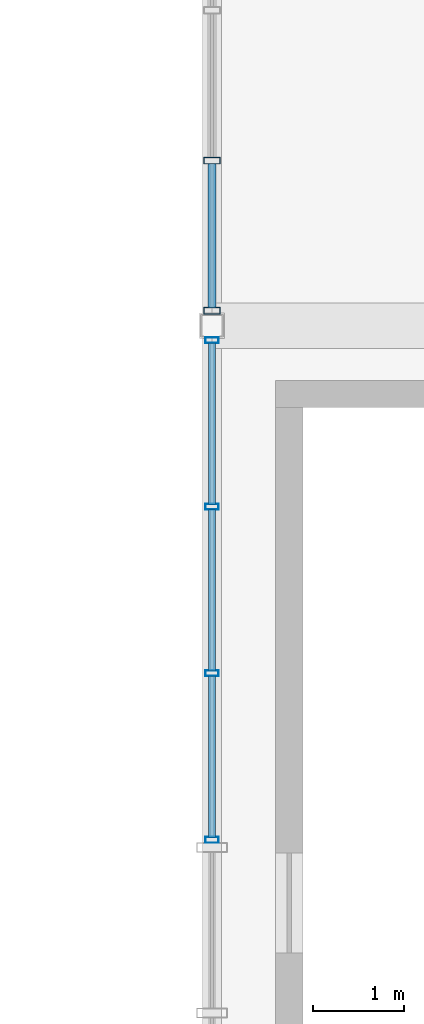
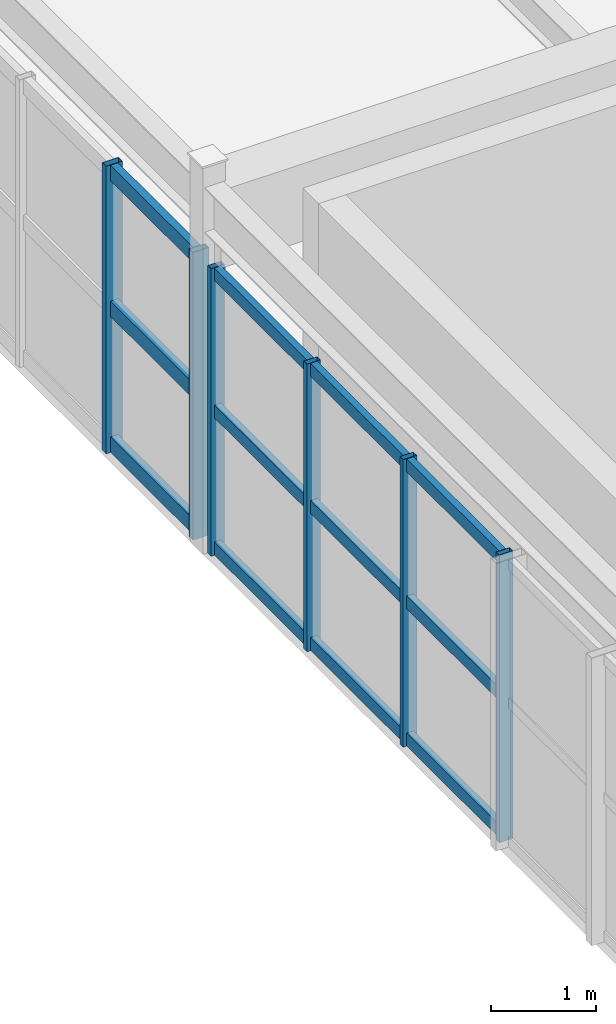
# One storey, part 27 of 80: 18 members, 2 elements without a shape of their own.
"""IFC4 building model written with IfcOpenShell, lengths in metres."""

from ifc_helpers import new_model, si_unit, direction, frame, origin, origin_2d, place, context, subcontext, project, spatial, hollow_rectangle, extrude, material, layer, layer_set, material_profile, profile_set, type_object, element, aggregate, save


model = new_model("IFC4")

# Units and contexts
model_context = context("Model", 3, precision=1e-05, world=origin(), true_north=direction((0.0, 1.0)))
body_context = subcontext(model_context, "Body", "Model", "MODEL_VIEW")
ifc_project = project(units=[si_unit("LENGTHUNIT", "METRE"), si_unit("AREAUNIT", "SQUARE_METRE"), si_unit("VOLUMEUNIT", "CUBIC_METRE"), si_unit("PLANEANGLEUNIT", "RADIAN"), si_unit("MASSUNIT", "GRAM", prefix="KILO"), si_unit("POWERUNIT", "WATT"), si_unit("THERMODYNAMICTEMPERATUREUNIT", "KELVIN")], contexts=[model_context])

# Site, building, storey
site_placement = place(None, origin())
site = spatial("IfcSite", under=ifc_project, at=site_placement, CompositionType="ELEMENT")
building_placement = place(site_placement, origin())
building = spatial("IfcBuilding", under=site, at=building_placement, Name="Kelmbourne Parkland Aquatics Centre", CompositionType="ELEMENT")
storey_placement = place(building_placement, frame((0.0, 0.0, 10.199951171875)))
storey = spatial("IfcBuildingStorey", under=building, at=storey_placement, Name="L02", CompositionType="ELEMENT", Elevation=10.199951171875)

# Curtain wall, members
ifc_material = material(Name="Thermally broken anodised aluminium framing", Category="aluminium")
ifc_layer_1 = layer(ifc_material, 0.179931640625)
ifc_layer_set_1 = layer_set([ifc_layer_1], Name="Thermally broken anodised aluminium framing")
curtain_wall_type_1 = type_object("IfcCurtainWallType", Name="CW-13", PredefinedType="NOTDEFINED", material=ifc_layer_set_1)
curtain_wall_1_placement = place(storey_placement, origin())
curtain_wall_1 = element("IfcCurtainWall", 1, at=curtain_wall_1_placement, inside=storey, type_object=curtain_wall_type_1, Name="Facade curtain wall CW-L02-205", PredefinedType="NOTDEFINED")
ifc_material_profile_1 = material_profile(ifc_material, hollow_rectangle(XDim=0.06494140625, YDim=0.14990234375, WallThickness=0.00390625, at=origin_2d()), Name="CW-M 65x150")
ifc_profile_set_1 = profile_set([ifc_material_profile_1], Name="Thermally broken anodised aluminium framing")
member_type_1 = type_object("IfcMemberType", Name="MB-MUL-1", PredefinedType="MULLION", material=ifc_profile_set_1)
member_1_placement = place(storey_placement, frame((102.0, 40.7451171875, 0.0), z_axis=(0.0, 0.0, 1.0), x_axis=(0.0, 1.0, 0.0)))
member_1 = element("IfcMember", 2, at=member_1_placement, type_object=member_type_1, Name="CW-L02-205 mullion 0", PredefinedType="MULLION", context=body_context, shape_type="SweptSolid", body=[
    extrude(hollow_rectangle(XDim=0.06494140625, YDim=0.14990234375, WallThickness=0.00390625, at=origin_2d()), origin(), (0.0, 0.0, 1.0), 3.344970703125),
])
member_2_placement = place(storey_placement, frame((102.0, 42.576904296875, 0.0), z_axis=(0.0, 0.0, 1.0), x_axis=(0.0, 1.0, 0.0)))
member_2 = element("IfcMember", 3, at=member_2_placement, type_object=member_type_1, Name="CW-L02-205 mullion 1", PredefinedType="MULLION", context=body_context, shape_type="SweptSolid", body=[
    extrude(hollow_rectangle(XDim=0.06494140625, YDim=0.14990234375, WallThickness=0.00390625, at=origin_2d()), origin(), (0.0, 0.0, 1.0), 3.344970703125),
])
member_3_placement = place(storey_placement, frame((102.0, 44.40869140625, 0.0), z_axis=(0.0, 0.0, 1.0), x_axis=(0.0, 1.0, 0.0)))
member_3 = element("IfcMember", 4, at=member_3_placement, type_object=member_type_1, Name="CW-L02-205 mullion 2", PredefinedType="MULLION", context=body_context, shape_type="SweptSolid", body=[
    extrude(hollow_rectangle(XDim=0.06494140625, YDim=0.14990234375, WallThickness=0.00390625, at=origin_2d()), origin(), (0.0, 0.0, 1.0), 3.344970703125),
])
member_4_placement = place(storey_placement, frame((102.0, 46.240478515625, 0.0), z_axis=(0.0, 0.0, 1.0), x_axis=(0.0, 1.0, 0.0)))
member_4 = element("IfcMember", 5, at=member_4_placement, type_object=member_type_1, Name="CW-L02-205 mullion 3", PredefinedType="MULLION", context=body_context, shape_type="SweptSolid", body=[
    extrude(hollow_rectangle(XDim=0.06494140625, YDim=0.14990234375, WallThickness=0.00390625, at=origin_2d()), origin(), (0.0, 0.0, 1.0), 3.344970703125),
])

ifc_layer_2 = layer(ifc_material, 0.179931640625)
ifc_layer_set_2 = layer_set([ifc_layer_2], Name="Thermally broken anodised aluminium framing")
curtain_wall_type_2 = type_object("IfcCurtainWallType", Name="CW-14", PredefinedType="NOTDEFINED", material=ifc_layer_set_2)
curtain_wall_2_placement = place(storey_placement, origin())
curtain_wall_2 = element("IfcCurtainWall", 6, at=curtain_wall_2_placement, inside=storey, type_object=curtain_wall_type_2, Name="Facade curtain wall CW-L02-206", PredefinedType="NOTDEFINED")
ifc_material_profile_2 = material_profile(ifc_material, hollow_rectangle(XDim=0.074951171875, YDim=0.179931640625, WallThickness=0.00439453125, at=origin_2d()), Name="CW-M 75x180")
ifc_profile_set_2 = profile_set([ifc_material_profile_2], Name="Thermally broken anodised aluminium framing")
member_type_2 = type_object("IfcMemberType", Name="MB-MUL-2", PredefinedType="MULLION", material=ifc_profile_set_2)
member_5_placement = place(storey_placement, frame((102.0, 46.564453125, 0.0), z_axis=(0.0, 0.0, 1.0), x_axis=(0.0, 1.0, 0.0)))
member_5 = element("IfcMember", 7, at=member_5_placement, type_object=member_type_2, Name="CW-L02-206 mullion 0", PredefinedType="MULLION", context=body_context, shape_type="SweptSolid", body=[
    extrude(hollow_rectangle(XDim=0.074951171875, YDim=0.179931640625, WallThickness=0.00439453125, at=origin_2d()), origin(), (0.0, 0.0, 1.0), 3.344970703125),
])
member_6_placement = place(storey_placement, frame((102.0, 48.21826171875, 0.0), z_axis=(0.0, 0.0, 1.0), x_axis=(0.0, 1.0, 0.0)))
member_6 = element("IfcMember", 8, at=member_6_placement, type_object=member_type_2, Name="CW-L02-206 mullion 1", PredefinedType="MULLION", context=body_context, shape_type="SweptSolid", body=[
    extrude(hollow_rectangle(XDim=0.074951171875, YDim=0.179931640625, WallThickness=0.00439453125, at=origin_2d()), origin(), (0.0, 0.0, 1.0), 3.344970703125),
])

# Member
ifc_material_profile_3 = material_profile(ifc_material, hollow_rectangle(XDim=0.074951171875, YDim=0.14990234375, WallThickness=0.00390625, at=origin_2d()), Name="CW-T 75x150")
ifc_profile_set_3 = profile_set([ifc_material_profile_3], Name="Thermally broken anodised aluminium framing")
member_type_3 = type_object("IfcMemberType", Name="MB-TRN-2", PredefinedType="USERDEFINED", material=ifc_profile_set_3)
member_7_placement = place(storey_placement, frame((102.0, 40.7734375, 0.078125), z_axis=(0.0, 1.0, 0.0), x_axis=(-1.0, 0.0, 0.0)))
member_7 = element("IfcMember", 9, at=member_7_placement, type_object=member_type_3, Name="CW-L02-205 transom 0-0", ObjectType="TRANSOM", PredefinedType="USERDEFINED", context=body_context, shape_type="SweptSolid", body=[
    extrude(hollow_rectangle(XDim=0.074951171875, YDim=0.14990234375, WallThickness=0.00390625, at=origin_2d()), origin(), (0.0, 0.0, 1.0), 1.77490234375),
])

member_8_placement = place(storey_placement, frame((102.0, 42.605224609375, 0.078125), z_axis=(0.0, 1.0, 0.0), x_axis=(-1.0, 0.0, 0.0)))
member_8 = element("IfcMember", 10, at=member_8_placement, type_object=member_type_3, Name="CW-L02-205 transom 0-1", ObjectType="TRANSOM", PredefinedType="USERDEFINED", context=body_context, shape_type="SweptSolid", body=[
    extrude(hollow_rectangle(XDim=0.074951171875, YDim=0.14990234375, WallThickness=0.00390625, at=origin_2d()), origin(), (0.0, 0.0, 1.0), 1.77490234375),
])

member_9_placement = place(storey_placement, frame((102.0, 44.437255859375, 0.078125), z_axis=(0.0, 1.0, 0.0), x_axis=(-1.0, 0.0, 0.0)))
member_9 = element("IfcMember", 11, at=member_9_placement, type_object=member_type_3, Name="CW-L02-205 transom 0-2", ObjectType="TRANSOM", PredefinedType="USERDEFINED", context=body_context, shape_type="SweptSolid", body=[
    extrude(hollow_rectangle(XDim=0.074951171875, YDim=0.14990234375, WallThickness=0.00390625, at=origin_2d()), origin(), (0.0, 0.0, 1.0), 1.774658203125),
])

member_10_placement = place(storey_placement, frame((102.0, 40.7734375, 1.672607421875), z_axis=(0.0, 1.0, 0.0), x_axis=(-1.0, 0.0, 0.0)))
member_10 = element("IfcMember", 12, at=member_10_placement, type_object=member_type_3, Name="CW-L02-205 transom 1-0", ObjectType="TRANSOM", PredefinedType="USERDEFINED", context=body_context, shape_type="SweptSolid", body=[
    extrude(hollow_rectangle(XDim=0.074951171875, YDim=0.14990234375, WallThickness=0.00390625, at=origin_2d()), origin(), (0.0, 0.0, 1.0), 1.77490234375),
])

member_11_placement = place(storey_placement, frame((102.0, 42.605224609375, 1.672607421875), z_axis=(0.0, 1.0, 0.0), x_axis=(-1.0, 0.0, 0.0)))
member_11 = element("IfcMember", 13, at=member_11_placement, type_object=member_type_3, Name="CW-L02-205 transom 1-1", ObjectType="TRANSOM", PredefinedType="USERDEFINED", context=body_context, shape_type="SweptSolid", body=[
    extrude(hollow_rectangle(XDim=0.074951171875, YDim=0.14990234375, WallThickness=0.00390625, at=origin_2d()), origin(), (0.0, 0.0, 1.0), 1.77490234375),
])

member_12_placement = place(storey_placement, frame((102.0, 44.437255859375, 1.672607421875), z_axis=(0.0, 1.0, 0.0), x_axis=(-1.0, 0.0, 0.0)))
member_12 = element("IfcMember", 14, at=member_12_placement, type_object=member_type_3, Name="CW-L02-205 transom 1-2", ObjectType="TRANSOM", PredefinedType="USERDEFINED", context=body_context, shape_type="SweptSolid", body=[
    extrude(hollow_rectangle(XDim=0.074951171875, YDim=0.14990234375, WallThickness=0.00390625, at=origin_2d()), origin(), (0.0, 0.0, 1.0), 1.774658203125),
])

member_13_placement = place(storey_placement, frame((102.0, 40.7734375, 3.26708984375), z_axis=(0.0, 1.0, 0.0), x_axis=(-1.0, 0.0, 0.0)))
member_13 = element("IfcMember", 15, at=member_13_placement, type_object=member_type_3, Name="CW-L02-205 transom 2-0", ObjectType="TRANSOM", PredefinedType="USERDEFINED", context=body_context, shape_type="SweptSolid", body=[
    extrude(hollow_rectangle(XDim=0.074951171875, YDim=0.14990234375, WallThickness=0.00390625, at=origin_2d()), origin(), (0.0, 0.0, 1.0), 1.77490234375),
])

member_14_placement = place(storey_placement, frame((102.0, 42.605224609375, 3.26708984375), z_axis=(0.0, 1.0, 0.0), x_axis=(-1.0, 0.0, 0.0)))
member_14 = element("IfcMember", 16, at=member_14_placement, type_object=member_type_3, Name="CW-L02-205 transom 2-1", ObjectType="TRANSOM", PredefinedType="USERDEFINED", context=body_context, shape_type="SweptSolid", body=[
    extrude(hollow_rectangle(XDim=0.074951171875, YDim=0.14990234375, WallThickness=0.00390625, at=origin_2d()), origin(), (0.0, 0.0, 1.0), 1.77490234375),
])

member_15_placement = place(storey_placement, frame((102.0, 44.437255859375, 3.26708984375), z_axis=(0.0, 1.0, 0.0), x_axis=(-1.0, 0.0, 0.0)))
member_15 = element("IfcMember", 17, at=member_15_placement, type_object=member_type_3, Name="CW-L02-205 transom 2-2", ObjectType="TRANSOM", PredefinedType="USERDEFINED", context=body_context, shape_type="SweptSolid", body=[
    extrude(hollow_rectangle(XDim=0.074951171875, YDim=0.14990234375, WallThickness=0.00390625, at=origin_2d()), origin(), (0.0, 0.0, 1.0), 1.774658203125),
])

aggregate(curtain_wall_1, [member_1, member_2, member_3, member_4, member_7, member_8, member_9, member_10, member_11, member_12, member_13, member_14, member_15])

ifc_material_profile_4 = material_profile(ifc_material, hollow_rectangle(XDim=0.0849609375, YDim=0.179931640625, WallThickness=0.00439453125, at=origin_2d()), Name="CW-T 85x180")
ifc_profile_set_4 = profile_set([ifc_material_profile_4], Name="Thermally broken anodised aluminium framing")
member_type_4 = type_object("IfcMemberType", Name="MB-TRN-3", PredefinedType="USERDEFINED", material=ifc_profile_set_4)
member_16_placement = place(storey_placement, frame((102.0, 46.597900390625, 0.093017578125), z_axis=(0.0, 1.0, 0.0), x_axis=(-1.0, 0.0, 0.0)))
member_16 = element("IfcMember", 18, at=member_16_placement, type_object=member_type_4, Name="CW-L02-206 transom 0-0", ObjectType="TRANSOM", PredefinedType="USERDEFINED", context=body_context, shape_type="SweptSolid", body=[
    extrude(hollow_rectangle(XDim=0.0849609375, YDim=0.179931640625, WallThickness=0.00439453125, at=origin_2d()), origin(), (0.0, 0.0, 1.0), 1.5869140625),
])

member_17_placement = place(storey_placement, frame((102.0, 46.597900390625, 1.672607421875), z_axis=(0.0, 1.0, 0.0), x_axis=(-1.0, 0.0, 0.0)))
member_17 = element("IfcMember", 19, at=member_17_placement, type_object=member_type_4, Name="CW-L02-206 transom 1-0", ObjectType="TRANSOM", PredefinedType="USERDEFINED", context=body_context, shape_type="SweptSolid", body=[
    extrude(hollow_rectangle(XDim=0.0849609375, YDim=0.179931640625, WallThickness=0.00439453125, at=origin_2d()), origin(), (0.0, 0.0, 1.0), 1.5869140625),
])

member_18_placement = place(storey_placement, frame((102.0, 46.597900390625, 3.251953125), z_axis=(0.0, 1.0, 0.0), x_axis=(-1.0, 0.0, 0.0)))
member_18 = element("IfcMember", 20, at=member_18_placement, type_object=member_type_4, Name="CW-L02-206 transom 2-0", ObjectType="TRANSOM", PredefinedType="USERDEFINED", context=body_context, shape_type="SweptSolid", body=[
    extrude(hollow_rectangle(XDim=0.0849609375, YDim=0.179931640625, WallThickness=0.00439453125, at=origin_2d()), origin(), (0.0, 0.0, 1.0), 1.5869140625),
])

aggregate(curtain_wall_2, [member_5, member_6, member_16, member_17, member_18])

save(model, "model.ifc")
